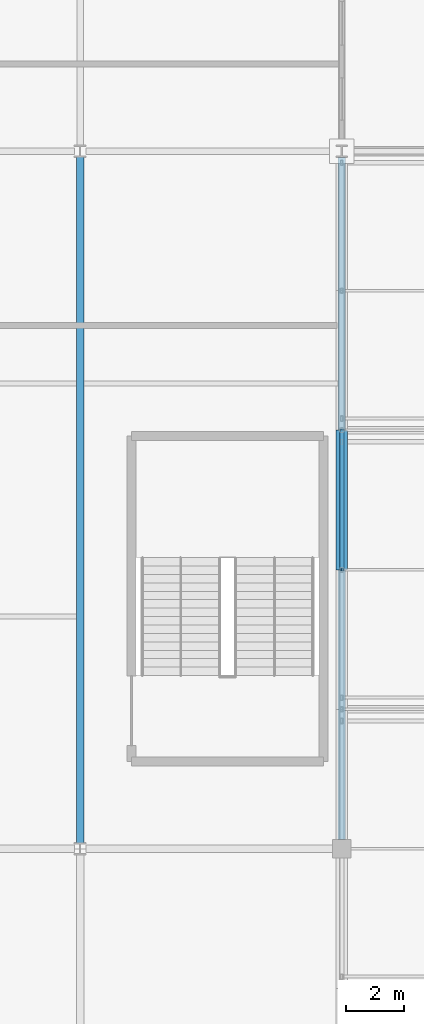
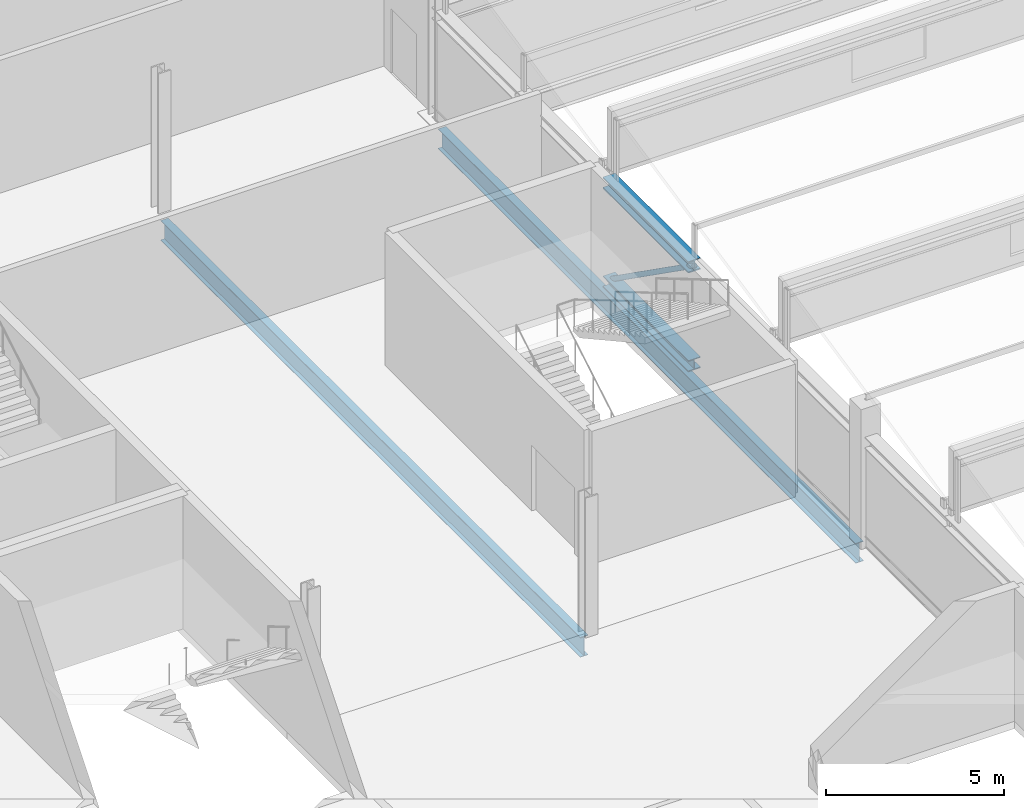
# One storey, part 39 of 136: 4 beams, 1 member.
"""IFC4 building model written with IfcOpenShell, lengths in metres."""

from ifc_helpers import new_model, si_unit, direction, frame, origin, origin_2d, place, context, subcontext, project, spatial, hollow_circle, i_section, extrude, material, material_profile, profile_set, type_object, element, save


model = new_model("IFC4")

# Units and contexts
model_context = context("Model", 3, precision=1e-05, world=origin(), true_north=direction((0.0, 1.0)))
body_context = subcontext(model_context, "Body", "Model", "MODEL_VIEW")
ifc_project = project(units=[si_unit("LENGTHUNIT", "METRE"), si_unit("AREAUNIT", "SQUARE_METRE"), si_unit("VOLUMEUNIT", "CUBIC_METRE"), si_unit("PLANEANGLEUNIT", "RADIAN"), si_unit("MASSUNIT", "GRAM", prefix="KILO")], contexts=[model_context])

# Site, building, storey
site_placement = place(None, origin())
site = spatial("IfcSite", under=ifc_project, at=site_placement, CompositionType="ELEMENT")
building_placement = place(site_placement, origin())
building = spatial("IfcBuilding", under=site, at=building_placement, Name="Kisiwana Market Hall", CompositionType="ELEMENT")
storey_placement = place(building_placement, frame((0.0, 0.0, 16.800048828125)))
storey = spatial("IfcBuildingStorey", under=building, at=storey_placement, Name="L03", CompositionType="ELEMENT", Elevation=16.800048828125)

# Beams
ifc_material_1 = material(Name="Steel S355", Category="steel")
ifc_material_profile_1 = material_profile(ifc_material_1, i_section(OverallWidth=0.253662109375, OverallDepth=0.68359375, WebThickness=0.012451171875, FlangeThickness=0.01904296875, at=origin_2d()), Name="UB 686x254x140")
ifc_profile_set_1 = profile_set([ifc_material_profile_1], Name="Steel S355")
beam_type_1 = type_object("IfcBeamType", Name="BM-GIRD-UB686", PredefinedType="BEAM", material=ifc_profile_set_1)
beam_1_placement = place(storey_placement, frame((45.0, 60.321044921875, -0.591796875), z_axis=(0.0, 1.0, 0.0), x_axis=(-1.0, 0.0, 0.0)))
element("IfcBeam", 1, at=beam_1_placement, inside=storey, type_object=beam_type_1, Name="Floor beam B-1088", PredefinedType="BEAM", context=body_context, shape_type="SweptSolid", body=[
    extrude(i_section(OverallWidth=0.253662109375, OverallDepth=0.68359375, WebThickness=0.012451171875, FlangeThickness=0.01904296875, at=origin_2d()), origin(), (0.0, 0.0, 1.0), 23.465576171875),
])
beam_2_placement = place(storey_placement, frame((36.0, 60.2041015625, -0.591796875), z_axis=(0.0, 1.0, 0.0), x_axis=(-1.0, 0.0, 0.0)))
element("IfcBeam", 2, at=beam_2_placement, inside=storey, type_object=beam_type_1, Name="Primary girder B-0871", PredefinedType="BEAM", context=body_context, shape_type="SweptSolid", body=[
    extrude(i_section(OverallWidth=0.253662109375, OverallDepth=0.68359375, WebThickness=0.012451171875, FlangeThickness=0.01904296875, at=origin_2d()), origin(), (0.0, 0.0, 1.0), 23.591796875),
])
ifc_material_2 = material(Name="Steel S355", Category="steel")
ifc_material_profile_2 = material_profile(ifc_material_2, i_section(OverallWidth=0.394775390625, OverallDepth=0.381103515625, WebThickness=0.018310546875, FlangeThickness=0.0302734375, at=origin_2d()), Name="UC 356x406x235")
ifc_profile_set_2 = profile_set([ifc_material_profile_2], Name="Steel S355")
beam_type_2 = type_object("IfcBeamType", Name="BM-TRUSS-BOT", PredefinedType="USERDEFINED", material=ifc_profile_set_2)
beam_3_placement = place(storey_placement, frame((45.0, 69.60009765625, 0.22998046875), z_axis=(0.0, 1.0, 0.0), x_axis=(-1.0, 0.0, 0.0)))
element("IfcBeam", 3, at=beam_3_placement, inside=storey, type_object=beam_type_2, Name="TR-01 BC panel 8 B-1185", ObjectType="ROOF TRUSS", PredefinedType="USERDEFINED", context=body_context, shape_type="SweptSolid", body=[
    extrude(i_section(OverallWidth=0.394775390625, OverallDepth=0.381103515625, WebThickness=0.018310546875, FlangeThickness=0.0302734375, at=origin_2d()), origin(), (0.0, 0.0, 1.0), 4.7998046875),
])
ifc_material_3 = material(Name="Steel S355", Category="steel")
ifc_material_profile_3 = material_profile(ifc_material_3, i_section(OverallWidth=0.39892578125, OverallDepth=0.3935546875, WebThickness=0.022705078125, FlangeThickness=0.03662109375, at=origin_2d()), Name="UC 356x406x287")
ifc_profile_set_3 = profile_set([ifc_material_profile_3], Name="Steel S355")
beam_type_3 = type_object("IfcBeamType", Name="BM-TRUSS-TOP", PredefinedType="USERDEFINED", material=ifc_profile_set_3)
beam_4_placement = place(storey_placement, frame((45.0, 69.60009765625, 3.619873046875), z_axis=(0.0, 1.0, 0.0), x_axis=(-1.0, 0.0, 0.0)))
element("IfcBeam", 4, at=beam_4_placement, inside=storey, type_object=beam_type_3, Name="TR-01 TC panel 8 B-1195", ObjectType="ROOF TRUSS", PredefinedType="USERDEFINED", context=body_context, shape_type="SweptSolid", body=[
    extrude(i_section(OverallWidth=0.39892578125, OverallDepth=0.3935546875, WebThickness=0.022705078125, FlangeThickness=0.03662109375, at=origin_2d()), origin(), (0.0, 0.0, 1.0), 4.7998046875),
])

# Member
ifc_material_4 = material(Name="Steel S355", Category="steel")
ifc_material_profile_4 = material_profile(ifc_material_4, hollow_circle(Radius=0.084228515625, WallThickness=0.010009765625, at=origin_2d()), Name="CHS 168.3x10.0")
ifc_profile_set_4 = profile_set([ifc_material_profile_4], Name="Steel S355")
member_type = type_object("IfcMemberType", Name="MB-TR-DIAG168", PredefinedType="BRACE", material=ifc_profile_set_4)
member_placement = place(storey_placement, frame((45.0, 69.60009765625, 3.619873046875), z_axis=(0.0, 0.816823908826, -0.576887079046), x_axis=(-1.0, 0.0, 0.0)))
element("IfcMember", 5, at=member_placement, inside=storey, type_object=member_type, Name="TR-01 diagonal 8 M-0344", PredefinedType="BRACE", context=body_context, shape_type="SweptSolid", body=[
    extrude(hollow_circle(Radius=0.084228515625, WallThickness=0.010009765625, at=origin_2d()), origin(), (0.0, 0.0, 1.0), 5.876220703125),
])

save(model, "model.ifc")
